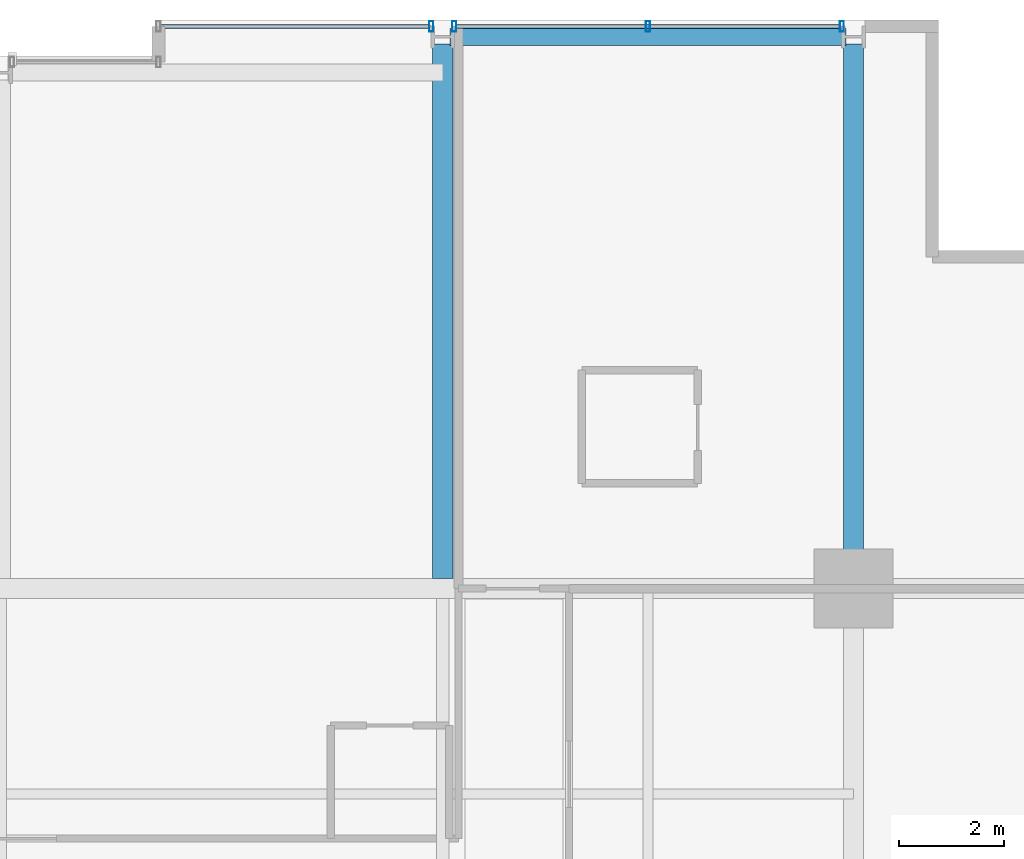
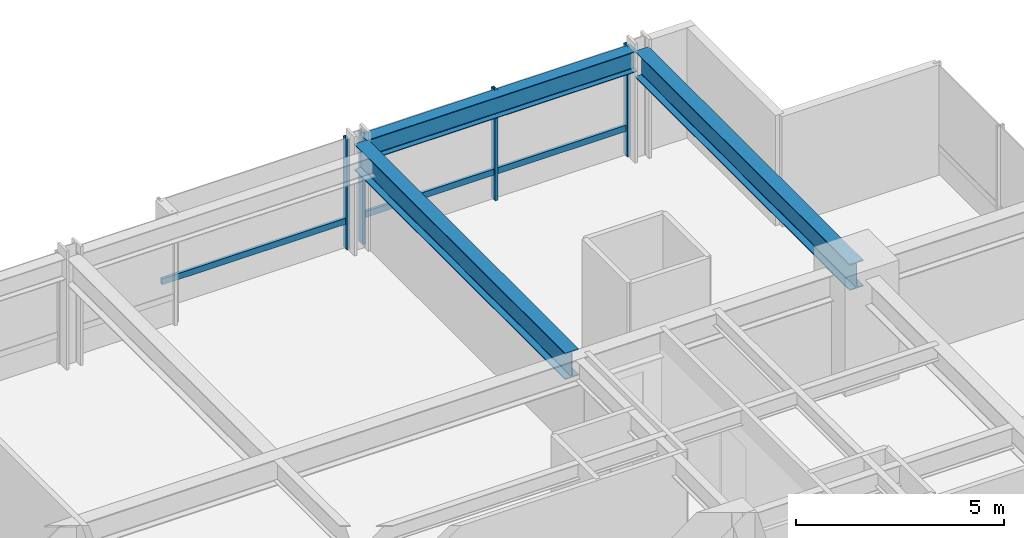
# One storey, part 25 of 34: 6 members, 3 beams, 2 elements without a shape of their own.
"""IFC4 building model written with IfcOpenShell, lengths in metres."""

from ifc_helpers import new_model, si_unit, direction, frame, origin, origin_2d, place, context, subcontext, project, spatial, hollow_rectangle, i_section, extrude, material, layer, layer_set, material_profile, profile_set, type_object, element, aggregate, save


model = new_model("IFC4")

# Units and contexts
model_context = context("Model", 3, precision=1e-05, world=origin(), true_north=direction((0.0, 1.0)))
body_context = subcontext(model_context, "Body", "Model", "MODEL_VIEW")
ifc_project = project(units=[si_unit("LENGTHUNIT", "METRE"), si_unit("AREAUNIT", "SQUARE_METRE"), si_unit("VOLUMEUNIT", "CUBIC_METRE"), si_unit("PLANEANGLEUNIT", "RADIAN"), si_unit("MASSUNIT", "GRAM", prefix="KILO")], contexts=[model_context])

# Site, building, storey
site_placement = place(None, origin())
site = spatial("IfcSite", under=ifc_project, at=site_placement, CompositionType="ELEMENT")
building_placement = place(site_placement, origin())
building = spatial("IfcBuilding", under=site, at=building_placement, Name="Drelvath Grand Hotel", CompositionType="ELEMENT")
storey_placement = place(building_placement, frame((0.0, 0.0, 116.300048828125)))
storey = spatial("IfcBuildingStorey", under=building, at=storey_placement, Name="L29", CompositionType="ELEMENT", Elevation=116.300048828125)

# Curtain wall, member
ifc_material_1 = material(Name="Champagne Bronze Anodised Aluminium Frame", Category="aluminium")
ifc_layer = layer(ifc_material_1, 0.199951171875)
ifc_layer_set = layer_set([ifc_layer], Name="Champagne Bronze Anodised Aluminium Frame")
curtain_wall_type = type_object("IfcCurtainWallType", Name="Stick Curtain Wall CW-03 Champagne Bronze Mid-Rise", PredefinedType="NOTDEFINED", material=ifc_layer_set)
curtain_wall_1_placement = place(storey_placement, origin())
curtain_wall_1 = element("IfcCurtainWall", 1, at=curtain_wall_1_placement, inside=storey, type_object=curtain_wall_type, Name="L29 CW-03 Curtain Wall CW03-L29-NE1", PredefinedType="NOTDEFINED")
ifc_material_profile_1 = material_profile(ifc_material_1, hollow_rectangle(XDim=0.074951171875, YDim=0.179931640625, WallThickness=0.0048828125, at=origin_2d()), Name="HSS180X75X5")
ifc_profile_set_1 = profile_set([ifc_material_profile_1], Name="Champagne Bronze Anodised Aluminium Frame")
member_type_1 = type_object("IfcMemberType", Name="Curtain Wall Horizontal Transom CW-03 HSS180X75X5", PredefinedType="USERDEFINED", material=ifc_profile_set_1)
member_1_placement = place(storey_placement, frame((3.0400390625, 53.8798828125, 0.81005859375), z_axis=(1.0, 0.0, 0.0), x_axis=(0.0, 1.0, 0.0)))
member_1 = element("IfcMember", 2, at=member_1_placement, type_object=member_type_1, Name="CW03-L29-NE1 Sill Transom", ObjectType="TRANSOM", PredefinedType="USERDEFINED", context=body_context, shape_type="SweptSolid", body=[
    extrude(hollow_rectangle(XDim=0.074951171875, YDim=0.179931640625, WallThickness=0.0048828125, at=origin_2d()), origin(), (0.0, 0.0, 1.0), 5.100341796875),
])

curtain_wall_2_placement = place(storey_placement, origin())
curtain_wall_2 = element("IfcCurtainWall", 3, at=curtain_wall_2_placement, inside=storey, type_object=curtain_wall_type, Name="L29 CW-03 Curtain Wall CW03-L29-NE2", PredefinedType="NOTDEFINED")
member_2_placement = place(storey_placement, frame((8.65966796875, 53.8798828125, 0.81005859375), z_axis=(1.0, 0.0, 0.0), x_axis=(0.0, 1.0, 0.0)))
member_2 = element("IfcMember", 4, at=member_2_placement, type_object=member_type_1, Name="CW03-L29-NE2 Sill Transom", ObjectType="TRANSOM", PredefinedType="USERDEFINED", context=body_context, shape_type="SweptSolid", body=[
    extrude(hollow_rectangle(XDim=0.074951171875, YDim=0.179931640625, WallThickness=0.0048828125, at=origin_2d()), origin(), (0.0, 0.0, 1.0), 7.28076171875),
])

# Member
ifc_material_profile_2 = material_profile(ifc_material_1, hollow_rectangle(XDim=0.080078125, YDim=0.199951171875, WallThickness=0.0048828125, at=origin_2d()), Name="HSS200X80X5")
ifc_profile_set_2 = profile_set([ifc_material_profile_2], Name="Champagne Bronze Anodised Aluminium Frame")
member_type_2 = type_object("IfcMemberType", Name="Curtain Wall Vertical Mullion CW-03 HSS200X80X5", PredefinedType="MULLION", material=ifc_profile_set_2)
member_3_placement = place(storey_placement, frame((8.180419921875, 53.8798828125, 0.0), z_axis=(0.0, 0.0, 1.0), x_axis=(1.0, 0.0, 0.0)))
member_3 = element("IfcMember", 5, at=member_3_placement, type_object=member_type_2, Name="CW03-L29-NE1 Mullion 2", PredefinedType="MULLION", context=body_context, shape_type="SweptSolid", body=[
    extrude(hollow_rectangle(XDim=0.080078125, YDim=0.199951171875, WallThickness=0.0048828125, at=origin_2d()), origin(), (0.0, 0.0, 1.0), 3.239990234375),
])

aggregate(curtain_wall_1, [member_3, member_1])

member_4_placement = place(storey_placement, frame((8.61962890625, 53.8798828125, 0.0), z_axis=(0.0, 0.0, 1.0), x_axis=(1.0, 0.0, 0.0)))
member_4 = element("IfcMember", 6, at=member_4_placement, type_object=member_type_2, Name="CW03-L29-NE2 Mullion 1", PredefinedType="MULLION", context=body_context, shape_type="SweptSolid", body=[
    extrude(hollow_rectangle(XDim=0.080078125, YDim=0.199951171875, WallThickness=0.0048828125, at=origin_2d()), origin(), (0.0, 0.0, 1.0), 3.239990234375),
])

member_5_placement = place(storey_placement, frame((12.300048828125, 53.8798828125, 0.0), z_axis=(0.0, 0.0, 1.0), x_axis=(1.0, 0.0, 0.0)))
member_5 = element("IfcMember", 7, at=member_5_placement, type_object=member_type_2, Name="CW03-L29-NE2 Mullion 2", PredefinedType="MULLION", context=body_context, shape_type="SweptSolid", body=[
    extrude(hollow_rectangle(XDim=0.080078125, YDim=0.199951171875, WallThickness=0.0048828125, at=origin_2d()), origin(), (0.0, 0.0, 1.0), 3.239990234375),
])

member_6_placement = place(storey_placement, frame((15.98046875, 53.8798828125, 0.0), z_axis=(0.0, 0.0, 1.0), x_axis=(1.0, 0.0, 0.0)))
member_6 = element("IfcMember", 8, at=member_6_placement, type_object=member_type_2, Name="CW03-L29-NE2 Mullion 3", PredefinedType="MULLION", context=body_context, shape_type="SweptSolid", body=[
    extrude(hollow_rectangle(XDim=0.080078125, YDim=0.199951171875, WallThickness=0.0048828125, at=origin_2d()), origin(), (0.0, 0.0, 1.0), 3.239990234375),
])

aggregate(curtain_wall_2, [member_4, member_5, member_6, member_2])

# Beams
ifc_material_2 = material(Name="Steel ASTM A992 Gr 50", Category="steel")
ifc_material_profile_3 = material_profile(ifc_material_2, i_section(OverallWidth=0.323974609375, OverallDepth=0.611083984375, WebThickness=0.0126953125, FlangeThickness=0.01904296875, FilletRadius=0.02197265625, at=origin_2d()), Name="W24X104")
ifc_profile_set_3 = profile_set([ifc_material_profile_3], Name="Steel ASTM A992 Gr 50")
beam_type_1 = type_object("IfcBeamType", Name="Perimeter Spandrel Beam W24X104", PredefinedType="SPANDREL", material=ifc_profile_set_3)
beam_1_placement = place(storey_placement, frame((8.5400390625, 53.679931640625, 2.9345703125), z_axis=(1.0, 0.0, 0.0), x_axis=(0.0, 1.0, 0.0)))
element("IfcBeam", 9, at=beam_1_placement, inside=storey, type_object=beam_type_1, Name="L29 Spandrel North E", PredefinedType="SPANDREL", context=body_context, shape_type="SweptSolid", body=[
    extrude(i_section(OverallWidth=0.323974609375, OverallDepth=0.611083984375, WebThickness=0.0126953125, FlangeThickness=0.01904296875, FilletRadius=0.02197265625, at=origin_2d()), origin(), (0.0, 0.0, 1.0), 7.52001953125),
])
ifc_material_profile_4 = material_profile(ifc_material_2, i_section(OverallWidth=0.380615234375, OverallDepth=0.773193359375, WebThickness=0.0166015625, FlangeThickness=0.027099609375, FilletRadius=0.02490234375, at=origin_2d()), Name="W30X173")
ifc_profile_set_4 = profile_set([ifc_material_profile_4], Name="Steel ASTM A992 Gr 50")
beam_type_2 = type_object("IfcBeamType", Name="Primary Floor Girder W30X173", PredefinedType="BEAM", material=ifc_profile_set_4)
beam_2_placement = place(storey_placement, frame((16.199951171875, 43.199951171875, 2.853271484375), z_axis=(0.0, 1.0, 0.0), x_axis=(-1.0, 0.0, 0.0)))
element("IfcBeam", 10, at=beam_2_placement, inside=storey, type_object=beam_type_2, Name="L29 North Grid Girder 7", PredefinedType="BEAM", context=body_context, shape_type="SweptSolid", body=[
    extrude(i_section(OverallWidth=0.380615234375, OverallDepth=0.773193359375, WebThickness=0.0166015625, FlangeThickness=0.027099609375, FilletRadius=0.02490234375, at=origin_2d()), origin(), (0.0, 0.0, 1.0), 10.340087890625),
])
beam_3_placement = place(storey_placement, frame((8.39990234375, 43.390380859375, 2.853271484375), z_axis=(0.0, 1.0, 0.0), x_axis=(-1.0, 0.0, 0.0)))
element("IfcBeam", 11, at=beam_3_placement, inside=storey, type_object=beam_type_2, Name="L29 North Wing Girder 6", PredefinedType="BEAM", context=body_context, shape_type="SweptSolid", body=[
    extrude(i_section(OverallWidth=0.380615234375, OverallDepth=0.773193359375, WebThickness=0.0166015625, FlangeThickness=0.027099609375, FilletRadius=0.02490234375, at=origin_2d()), origin(), (0.0, 0.0, 1.0), 10.149658203125),
])

save(model, "model.ifc")
